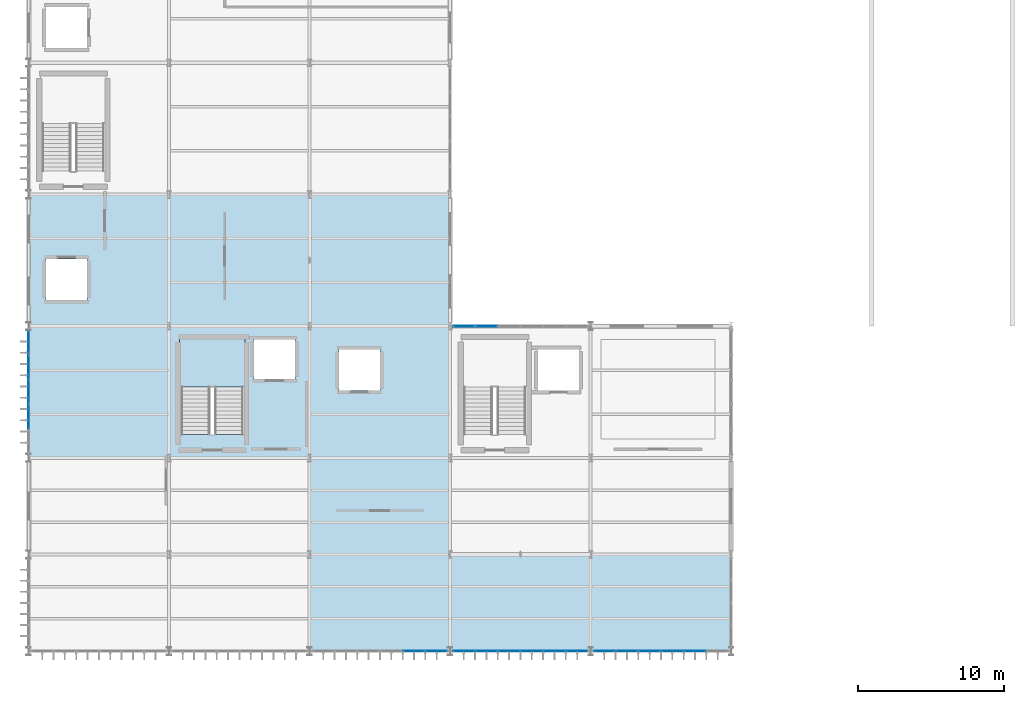
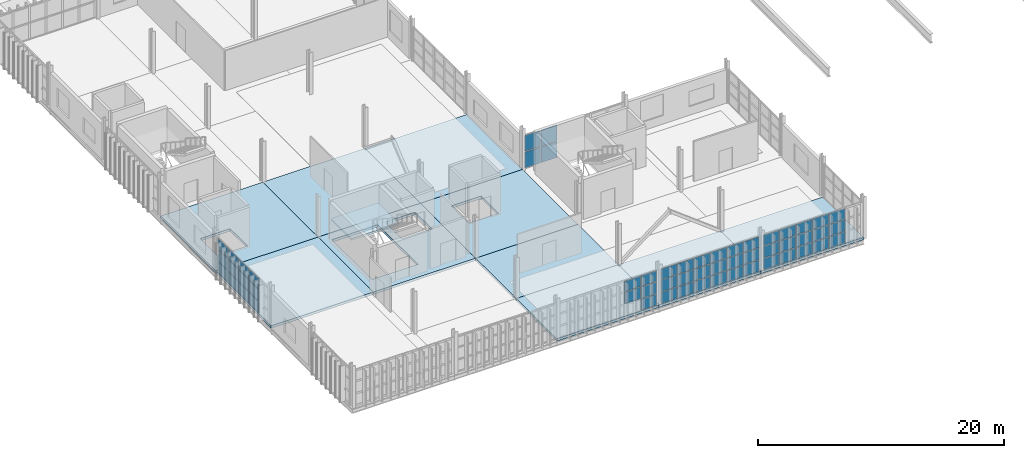
# One storey, part 18 of 52: 54 plates, 11 slabs, 6 elements without a shape of their own.
"""IFC4 building model written with IfcOpenShell, lengths in metres."""

from ifc_helpers import new_model, si_unit, direction, frame, origin, origin_2d, place, context, subcontext, project, spatial, polyline, rectangle, outline, extrude, material, layer, layer_set, type_object, element, aggregate, save


model = new_model("IFC4")

# Units and contexts
model_context = context("Model", 3, precision=1e-05, world=origin(), true_north=direction((0.0, 1.0)))
body_context = subcontext(model_context, "Body", "Model", "MODEL_VIEW")
ifc_project = project(units=[si_unit("LENGTHUNIT", "METRE"), si_unit("AREAUNIT", "SQUARE_METRE"), si_unit("VOLUMEUNIT", "CUBIC_METRE"), si_unit("PLANEANGLEUNIT", "RADIAN"), si_unit("MASSUNIT", "GRAM", prefix="KILO")], contexts=[model_context])

# Site, building, storey
site_placement = place(None, origin())
site = spatial("IfcSite", under=ifc_project, at=site_placement, CompositionType="ELEMENT")
building_placement = place(site_placement, origin())
building = spatial("IfcBuilding", under=site, at=building_placement, Name="Zarnetskaya Central Station", CompositionType="ELEMENT")
storey_placement = place(building_placement, frame((0.0, 0.0, 14.39990234375)))
storey = spatial("IfcBuildingStorey", under=building, at=storey_placement, Name="L03", CompositionType="ELEMENT", Elevation=14.39990234375)

# Curtain wall, plates
ifc_material_1 = material(Name="Low-E insulated glass", Category="glass")
ifc_layer_1 = layer(ifc_material_1, 0.1640625, Name="Low-E insulated glass", Category="glass")
ifc_layer_set_1 = layer_set([ifc_layer_1], Name="Low-E insulated glass")
curtain_wall_type_1 = type_object("IfcCurtainWallType", Name="CW-SYS-07", PredefinedType="USERDEFINED", material=ifc_layer_set_1)
curtain_wall_1_placement = place(storey_placement, origin())
curtain_wall_1 = element("IfcCurtainWall", 1, at=curtain_wall_1_placement, inside=storey, type_object=curtain_wall_type_1, Name="Curtain wall CW-L03-032", ObjectType="CURTAIN WALL", PredefinedType="USERDEFINED")
ifc_layer_2 = layer(ifc_material_1, 0.035888671875, Name="Low-E insulated glass", Category="glass")
ifc_layer_set_2 = layer_set([ifc_layer_2], Name="Low-E insulated glass")
plate_type_1 = type_object("IfcPlateType", Name="CW-PAN-36", PredefinedType="CURTAIN_PANEL", material=ifc_layer_set_2)
plate_1_placement = place(storey_placement, frame((0.0, 16.010009765625, 0.080078125), z_axis=(0.0, 0.0, 1.0), x_axis=(0.0, 1.0, 0.0)))
plate_1 = element("IfcPlate", 2, at=plate_1_placement, type_object=plate_type_1, Name="CW-06 panel 2.1", PredefinedType="CURTAIN_PANEL", context=body_context, shape_type="SweptSolid", body=[
    extrude(rectangle(XDim=1.610107421875, YDim=0.035888671875, at=origin_2d()), origin(), (0.0, 0.0, 1.0), 1.090087890625),
])
plate_2_placement = place(storey_placement, frame((0.0, 16.010009765625, 1.25), z_axis=(0.0, 0.0, 1.0), x_axis=(0.0, 1.0, 0.0)))
plate_2 = element("IfcPlate", 3, at=plate_2_placement, type_object=plate_type_1, Name="CW-06 panel 2.2", PredefinedType="CURTAIN_PANEL", context=body_context, shape_type="SweptSolid", body=[
    extrude(rectangle(XDim=1.610107421875, YDim=0.035888671875, at=origin_2d()), origin(), (0.0, 0.0, 1.0), 1.131103515625),
])
plate_3_placement = place(storey_placement, frame((0.0, 16.010009765625, 2.461181640625), z_axis=(0.0, 0.0, 1.0), x_axis=(0.0, 1.0, 0.0)))
plate_3 = element("IfcPlate", 4, at=plate_3_placement, type_object=plate_type_1, Name="CW-06 panel 2.3", PredefinedType="CURTAIN_PANEL", context=body_context, shape_type="SweptSolid", body=[
    extrude(rectangle(XDim=1.610107421875, YDim=0.035888671875, at=origin_2d()), origin(), (0.0, 0.0, 1.0), 1.01904296875),
])
plate_4_placement = place(storey_placement, frame((0.0, 17.699951171875, 0.080078125), z_axis=(0.0, 0.0, 1.0), x_axis=(0.0, 1.0, 0.0)))
plate_4 = element("IfcPlate", 5, at=plate_4_placement, type_object=plate_type_1, Name="CW-06 panel 3.1", PredefinedType="CURTAIN_PANEL", context=body_context, shape_type="SweptSolid", body=[
    extrude(rectangle(XDim=1.610107421875, YDim=0.035888671875, at=origin_2d()), origin(), (0.0, 0.0, 1.0), 1.090087890625),
])
plate_5_placement = place(storey_placement, frame((0.0, 17.699951171875, 1.25), z_axis=(0.0, 0.0, 1.0), x_axis=(0.0, 1.0, 0.0)))
plate_5 = element("IfcPlate", 6, at=plate_5_placement, type_object=plate_type_1, Name="CW-06 panel 3.2", PredefinedType="CURTAIN_PANEL", context=body_context, shape_type="SweptSolid", body=[
    extrude(rectangle(XDim=1.610107421875, YDim=0.035888671875, at=origin_2d()), origin(), (0.0, 0.0, 1.0), 1.131103515625),
])
plate_6_placement = place(storey_placement, frame((0.0, 17.699951171875, 2.461181640625), z_axis=(0.0, 0.0, 1.0), x_axis=(0.0, 1.0, 0.0)))
plate_6 = element("IfcPlate", 7, at=plate_6_placement, type_object=plate_type_1, Name="CW-06 panel 3.3", PredefinedType="CURTAIN_PANEL", context=body_context, shape_type="SweptSolid", body=[
    extrude(rectangle(XDim=1.610107421875, YDim=0.035888671875, at=origin_2d()), origin(), (0.0, 0.0, 1.0), 1.01904296875),
])
plate_7_placement = place(storey_placement, frame((0.0, 19.389892578125, 0.080078125), z_axis=(0.0, 0.0, 1.0), x_axis=(0.0, 1.0, 0.0)))
plate_7 = element("IfcPlate", 8, at=plate_7_placement, type_object=plate_type_1, Name="CW-06 panel 4.1", PredefinedType="CURTAIN_PANEL", context=body_context, shape_type="SweptSolid", body=[
    extrude(rectangle(XDim=1.610107421875, YDim=0.035888671875, at=origin_2d()), origin(), (0.0, 0.0, 1.0), 1.090087890625),
])
plate_8_placement = place(storey_placement, frame((0.0, 19.389892578125, 1.25), z_axis=(0.0, 0.0, 1.0), x_axis=(0.0, 1.0, 0.0)))
plate_8 = element("IfcPlate", 9, at=plate_8_placement, type_object=plate_type_1, Name="CW-06 panel 4.2", PredefinedType="CURTAIN_PANEL", context=body_context, shape_type="SweptSolid", body=[
    extrude(rectangle(XDim=1.610107421875, YDim=0.035888671875, at=origin_2d()), origin(), (0.0, 0.0, 1.0), 1.131103515625),
])
plate_9_placement = place(storey_placement, frame((0.0, 19.389892578125, 2.461181640625), z_axis=(0.0, 0.0, 1.0), x_axis=(0.0, 1.0, 0.0)))
plate_9 = element("IfcPlate", 10, at=plate_9_placement, type_object=plate_type_1, Name="CW-06 panel 4.3", PredefinedType="CURTAIN_PANEL", context=body_context, shape_type="SweptSolid", body=[
    extrude(rectangle(XDim=1.610107421875, YDim=0.035888671875, at=origin_2d()), origin(), (0.0, 0.0, 1.0), 1.01904296875),
])
plate_10_placement = place(storey_placement, frame((0.0, 21.06005859375, 0.080078125), z_axis=(0.0, 0.0, 1.0), x_axis=(0.0, 1.0, 0.0)))
plate_10 = element("IfcPlate", 11, at=plate_10_placement, type_object=plate_type_1, Name="CW-06 panel 5.1", PredefinedType="CURTAIN_PANEL", context=body_context, shape_type="SweptSolid", body=[
    extrude(rectangle(XDim=1.570068359375, YDim=0.035888671875, at=origin_2d()), origin(), (0.0, 0.0, 1.0), 1.090087890625),
])
plate_11_placement = place(storey_placement, frame((0.0, 21.06005859375, 1.25), z_axis=(0.0, 0.0, 1.0), x_axis=(0.0, 1.0, 0.0)))
plate_11 = element("IfcPlate", 12, at=plate_11_placement, type_object=plate_type_1, Name="CW-06 panel 5.2", PredefinedType="CURTAIN_PANEL", context=body_context, shape_type="SweptSolid", body=[
    extrude(rectangle(XDim=1.570068359375, YDim=0.035888671875, at=origin_2d()), origin(), (0.0, 0.0, 1.0), 1.131103515625),
])
plate_12_placement = place(storey_placement, frame((0.0, 21.06005859375, 2.461181640625), z_axis=(0.0, 0.0, 1.0), x_axis=(0.0, 1.0, 0.0)))
plate_12 = element("IfcPlate", 13, at=plate_12_placement, type_object=plate_type_1, Name="CW-06 panel 5.3", PredefinedType="CURTAIN_PANEL", context=body_context, shape_type="SweptSolid", body=[
    extrude(rectangle(XDim=1.570068359375, YDim=0.035888671875, at=origin_2d()), origin(), (0.0, 0.0, 1.0), 1.01904296875),
])
aggregate(curtain_wall_1, [plate_1, plate_2, plate_3, plate_4, plate_5, plate_6, plate_7, plate_8, plate_9, plate_10, plate_11, plate_12])

ifc_layer_3 = layer(ifc_material_1, 0.176025390625, Name="Low-E insulated glass", Category="glass")
ifc_layer_set_3 = layer_set([ifc_layer_3], Name="Low-E insulated glass")
curtain_wall_type_2 = type_object("IfcCurtainWallType", Name="CW-SYS-05", PredefinedType="USERDEFINED", material=ifc_layer_set_3)
curtain_wall_2_placement = place(storey_placement, origin())
curtain_wall_2 = element("IfcCurtainWall", 14, at=curtain_wall_2_placement, inside=storey, type_object=curtain_wall_type_2, Name="Curtain wall CW-L03-042", ObjectType="CURTAIN WALL", PredefinedType="USERDEFINED")
plate_13_placement = place(storey_placement, frame((45.52490234375, 0.0, 0.080078125), z_axis=(0.0, 0.0, 1.0), x_axis=(-1.0, 0.0, 0.0)))
plate_13 = element("IfcPlate", 15, at=plate_13_placement, type_object=plate_type_1, Name="CW-14 panel 2.1", PredefinedType="CURTAIN_PANEL", context=body_context, shape_type="SweptSolid", body=[
    extrude(rectangle(XDim=1.469970703125, YDim=0.035888671875, at=origin_2d()), origin(), (0.0, 0.0, 1.0), 1.090087890625),
])
plate_14_placement = place(storey_placement, frame((45.52490234375, 0.0, 1.25), z_axis=(0.0, 0.0, 1.0), x_axis=(-1.0, 0.0, 0.0)))
plate_14 = element("IfcPlate", 16, at=plate_14_placement, type_object=plate_type_1, Name="CW-14 panel 2.2", PredefinedType="CURTAIN_PANEL", context=body_context, shape_type="SweptSolid", body=[
    extrude(rectangle(XDim=1.469970703125, YDim=0.035888671875, at=origin_2d()), origin(), (0.0, 0.0, 1.0), 1.131103515625),
])
plate_15_placement = place(storey_placement, frame((45.52490234375, 0.0, 2.461181640625), z_axis=(0.0, 0.0, 1.0), x_axis=(-1.0, 0.0, 0.0)))
plate_15 = element("IfcPlate", 17, at=plate_15_placement, type_object=plate_type_1, Name="CW-14 panel 2.3", PredefinedType="CURTAIN_PANEL", context=body_context, shape_type="SweptSolid", body=[
    extrude(rectangle(XDim=1.469970703125, YDim=0.035888671875, at=origin_2d()), origin(), (0.0, 0.0, 1.0), 1.01904296875),
])
plate_16_placement = place(storey_placement, frame((43.97509765625, 0.0, 0.080078125), z_axis=(0.0, 0.0, 1.0), x_axis=(-1.0, 0.0, 0.0)))
plate_16 = element("IfcPlate", 18, at=plate_16_placement, type_object=plate_type_1, Name="CW-14 panel 3.1", PredefinedType="CURTAIN_PANEL", context=body_context, shape_type="SweptSolid", body=[
    extrude(rectangle(XDim=1.469970703125, YDim=0.035888671875, at=origin_2d()), origin(), (0.0, 0.0, 1.0), 1.090087890625),
])
plate_17_placement = place(storey_placement, frame((43.97509765625, 0.0, 1.25), z_axis=(0.0, 0.0, 1.0), x_axis=(-1.0, 0.0, 0.0)))
plate_17 = element("IfcPlate", 19, at=plate_17_placement, type_object=plate_type_1, Name="CW-14 panel 3.2", PredefinedType="CURTAIN_PANEL", context=body_context, shape_type="SweptSolid", body=[
    extrude(rectangle(XDim=1.469970703125, YDim=0.035888671875, at=origin_2d()), origin(), (0.0, 0.0, 1.0), 1.131103515625),
])
plate_18_placement = place(storey_placement, frame((43.97509765625, 0.0, 2.461181640625), z_axis=(0.0, 0.0, 1.0), x_axis=(-1.0, 0.0, 0.0)))
plate_18 = element("IfcPlate", 20, at=plate_18_placement, type_object=plate_type_1, Name="CW-14 panel 3.3", PredefinedType="CURTAIN_PANEL", context=body_context, shape_type="SweptSolid", body=[
    extrude(rectangle(XDim=1.469970703125, YDim=0.035888671875, at=origin_2d()), origin(), (0.0, 0.0, 1.0), 1.01904296875),
])
plate_19_placement = place(storey_placement, frame((42.425048828125, 0.0, 0.080078125), z_axis=(0.0, 0.0, 1.0), x_axis=(-1.0, 0.0, 0.0)))
plate_19 = element("IfcPlate", 21, at=plate_19_placement, type_object=plate_type_1, Name="CW-14 panel 4.1", PredefinedType="CURTAIN_PANEL", context=body_context, shape_type="SweptSolid", body=[
    extrude(rectangle(XDim=1.469970703125, YDim=0.035888671875, at=origin_2d()), origin(), (0.0, 0.0, 1.0), 1.090087890625),
])
plate_20_placement = place(storey_placement, frame((42.425048828125, 0.0, 1.25), z_axis=(0.0, 0.0, 1.0), x_axis=(-1.0, 0.0, 0.0)))
plate_20 = element("IfcPlate", 22, at=plate_20_placement, type_object=plate_type_1, Name="CW-14 panel 4.2", PredefinedType="CURTAIN_PANEL", context=body_context, shape_type="SweptSolid", body=[
    extrude(rectangle(XDim=1.469970703125, YDim=0.035888671875, at=origin_2d()), origin(), (0.0, 0.0, 1.0), 1.131103515625),
])
plate_21_placement = place(storey_placement, frame((42.425048828125, 0.0, 2.461181640625), z_axis=(0.0, 0.0, 1.0), x_axis=(-1.0, 0.0, 0.0)))
plate_21 = element("IfcPlate", 23, at=plate_21_placement, type_object=plate_type_1, Name="CW-14 panel 4.3", PredefinedType="CURTAIN_PANEL", context=body_context, shape_type="SweptSolid", body=[
    extrude(rectangle(XDim=1.469970703125, YDim=0.035888671875, at=origin_2d()), origin(), (0.0, 0.0, 1.0), 1.01904296875),
])
plate_22_placement = place(storey_placement, frame((40.875, 0.0, 0.080078125), z_axis=(0.0, 0.0, 1.0), x_axis=(-1.0, 0.0, 0.0)))
plate_22 = element("IfcPlate", 24, at=plate_22_placement, type_object=plate_type_1, Name="CW-14 panel 5.1", PredefinedType="CURTAIN_PANEL", context=body_context, shape_type="SweptSolid", body=[
    extrude(rectangle(XDim=1.469970703125, YDim=0.035888671875, at=origin_2d()), origin(), (0.0, 0.0, 1.0), 1.090087890625),
])
plate_23_placement = place(storey_placement, frame((40.875, 0.0, 1.25), z_axis=(0.0, 0.0, 1.0), x_axis=(-1.0, 0.0, 0.0)))
plate_23 = element("IfcPlate", 25, at=plate_23_placement, type_object=plate_type_1, Name="CW-14 panel 5.2", PredefinedType="CURTAIN_PANEL", context=body_context, shape_type="SweptSolid", body=[
    extrude(rectangle(XDim=1.469970703125, YDim=0.035888671875, at=origin_2d()), origin(), (0.0, 0.0, 1.0), 1.131103515625),
])
plate_24_placement = place(storey_placement, frame((40.875, 0.0, 2.461181640625), z_axis=(0.0, 0.0, 1.0), x_axis=(-1.0, 0.0, 0.0)))
plate_24 = element("IfcPlate", 26, at=plate_24_placement, type_object=plate_type_1, Name="CW-14 panel 5.3", PredefinedType="CURTAIN_PANEL", context=body_context, shape_type="SweptSolid", body=[
    extrude(rectangle(XDim=1.469970703125, YDim=0.035888671875, at=origin_2d()), origin(), (0.0, 0.0, 1.0), 1.01904296875),
])
plate_25_placement = place(storey_placement, frame((39.344970703125, 0.0, 0.080078125), z_axis=(0.0, 0.0, 1.0), x_axis=(-1.0, 0.0, 0.0)))
plate_25 = element("IfcPlate", 27, at=plate_25_placement, type_object=plate_type_1, Name="CW-14 panel 6.1", PredefinedType="CURTAIN_PANEL", context=body_context, shape_type="SweptSolid", body=[
    extrude(rectangle(XDim=1.429931640625, YDim=0.035888671875, at=origin_2d()), origin(), (0.0, 0.0, 1.0), 1.090087890625),
])
plate_26_placement = place(storey_placement, frame((39.344970703125, 0.0, 1.25), z_axis=(0.0, 0.0, 1.0), x_axis=(-1.0, 0.0, 0.0)))
plate_26 = element("IfcPlate", 28, at=plate_26_placement, type_object=plate_type_1, Name="CW-14 panel 6.2", PredefinedType="CURTAIN_PANEL", context=body_context, shape_type="SweptSolid", body=[
    extrude(rectangle(XDim=1.429931640625, YDim=0.035888671875, at=origin_2d()), origin(), (0.0, 0.0, 1.0), 1.131103515625),
])
plate_27_placement = place(storey_placement, frame((39.344970703125, 0.0, 2.461181640625), z_axis=(0.0, 0.0, 1.0), x_axis=(-1.0, 0.0, 0.0)))
plate_27 = element("IfcPlate", 29, at=plate_27_placement, type_object=plate_type_1, Name="CW-14 panel 6.3", PredefinedType="CURTAIN_PANEL", context=body_context, shape_type="SweptSolid", body=[
    extrude(rectangle(XDim=1.429931640625, YDim=0.035888671875, at=origin_2d()), origin(), (0.0, 0.0, 1.0), 1.01904296875),
])
aggregate(curtain_wall_2, [plate_13, plate_14, plate_15, plate_16, plate_17, plate_18, plate_19, plate_20, plate_21, plate_22, plate_23, plate_24, plate_25, plate_26, plate_27])

ifc_layer_4 = layer(ifc_material_1, 0.159912109375, Name="Low-E insulated glass", Category="glass")
ifc_layer_set_4 = layer_set([ifc_layer_4], Name="Low-E insulated glass")
curtain_wall_type_3 = type_object("IfcCurtainWallType", Name="CW-SYS-06", PredefinedType="USERDEFINED", material=ifc_layer_set_4)
curtain_wall_3_placement = place(storey_placement, origin())
curtain_wall_3 = element("IfcCurtainWall", 30, at=curtain_wall_3_placement, inside=storey, type_object=curtain_wall_type_3, Name="Curtain wall CW-L03-043", ObjectType="CURTAIN WALL", PredefinedType="USERDEFINED")
ifc_layer_5 = layer(ifc_material_1, 0.0400390625, Name="Low-E insulated glass", Category="glass")
ifc_layer_set_5 = layer_set([ifc_layer_5], Name="Low-E insulated glass")
plate_type_2 = type_object("IfcPlateType", Name="CW-PAN-40", PredefinedType="CURTAIN_PANEL", material=ifc_layer_set_5)
plate_28_placement = place(storey_placement, frame((37.45751953125, 0.0, 0.070068359375), z_axis=(0.0, 0.0, 1.0), x_axis=(-1.0, 0.0, 0.0)))
plate_28 = element("IfcPlate", 31, at=plate_28_placement, type_object=plate_type_2, Name="CW-02 panel 1.1", PredefinedType="CURTAIN_PANEL", context=body_context, shape_type="SweptSolid", body=[
    extrude(rectangle(XDim=1.445068359375, YDim=0.0400390625, at=origin_2d()), origin(), (0.0, 0.0, 1.0), 1.10498046875),
])
plate_29_placement = place(storey_placement, frame((37.45751953125, 0.0, 1.2451171875), z_axis=(0.0, 0.0, 1.0), x_axis=(-1.0, 0.0, 0.0)))
plate_29 = element("IfcPlate", 32, at=plate_29_placement, type_object=plate_type_2, Name="CW-02 panel 1.2", PredefinedType="CURTAIN_PANEL", context=body_context, shape_type="SweptSolid", body=[
    extrude(rectangle(XDim=1.445068359375, YDim=0.0400390625, at=origin_2d()), origin(), (0.0, 0.0, 1.0), 1.14111328125),
])
plate_30_placement = place(storey_placement, frame((37.45751953125, 0.0, 2.4560546875), z_axis=(0.0, 0.0, 1.0), x_axis=(-1.0, 0.0, 0.0)))
plate_30 = element("IfcPlate", 33, at=plate_30_placement, type_object=plate_type_2, Name="CW-02 panel 1.3", PredefinedType="CURTAIN_PANEL", context=body_context, shape_type="SweptSolid", body=[
    extrude(rectangle(XDim=1.445068359375, YDim=0.0400390625, at=origin_2d()), origin(), (0.0, 0.0, 1.0), 1.033935546875),
])
plate_31_placement = place(storey_placement, frame((35.925048828125, 0.0, 0.070068359375), z_axis=(0.0, 0.0, 1.0), x_axis=(-1.0, 0.0, 0.0)))
plate_31 = element("IfcPlate", 34, at=plate_31_placement, type_object=plate_type_2, Name="CW-02 panel 2.1", PredefinedType="CURTAIN_PANEL", context=body_context, shape_type="SweptSolid", body=[
    extrude(rectangle(XDim=1.47998046875, YDim=0.0400390625, at=origin_2d()), origin(), (0.0, 0.0, 1.0), 1.10498046875),
])
plate_32_placement = place(storey_placement, frame((35.925048828125, 0.0, 1.2451171875), z_axis=(0.0, 0.0, 1.0), x_axis=(-1.0, 0.0, 0.0)))
plate_32 = element("IfcPlate", 35, at=plate_32_placement, type_object=plate_type_2, Name="CW-02 panel 2.2", PredefinedType="CURTAIN_PANEL", context=body_context, shape_type="SweptSolid", body=[
    extrude(rectangle(XDim=1.47998046875, YDim=0.0400390625, at=origin_2d()), origin(), (0.0, 0.0, 1.0), 1.14111328125),
])
plate_33_placement = place(storey_placement, frame((35.925048828125, 0.0, 2.4560546875), z_axis=(0.0, 0.0, 1.0), x_axis=(-1.0, 0.0, 0.0)))
plate_33 = element("IfcPlate", 36, at=plate_33_placement, type_object=plate_type_2, Name="CW-02 panel 2.3", PredefinedType="CURTAIN_PANEL", context=body_context, shape_type="SweptSolid", body=[
    extrude(rectangle(XDim=1.47998046875, YDim=0.0400390625, at=origin_2d()), origin(), (0.0, 0.0, 1.0), 1.033935546875),
])
plate_34_placement = place(storey_placement, frame((34.375, 0.0, 0.070068359375), z_axis=(0.0, 0.0, 1.0), x_axis=(-1.0, 0.0, 0.0)))
plate_34 = element("IfcPlate", 37, at=plate_34_placement, type_object=plate_type_2, Name="CW-02 panel 3.1", PredefinedType="CURTAIN_PANEL", context=body_context, shape_type="SweptSolid", body=[
    extrude(rectangle(XDim=1.47998046875, YDim=0.0400390625, at=origin_2d()), origin(), (0.0, 0.0, 1.0), 1.10498046875),
])
plate_35_placement = place(storey_placement, frame((34.375, 0.0, 1.2451171875), z_axis=(0.0, 0.0, 1.0), x_axis=(-1.0, 0.0, 0.0)))
plate_35 = element("IfcPlate", 38, at=plate_35_placement, type_object=plate_type_2, Name="CW-02 panel 3.2", PredefinedType="CURTAIN_PANEL", context=body_context, shape_type="SweptSolid", body=[
    extrude(rectangle(XDim=1.47998046875, YDim=0.0400390625, at=origin_2d()), origin(), (0.0, 0.0, 1.0), 1.14111328125),
])
plate_36_placement = place(storey_placement, frame((34.375, 0.0, 2.4560546875), z_axis=(0.0, 0.0, 1.0), x_axis=(-1.0, 0.0, 0.0)))
plate_36 = element("IfcPlate", 39, at=plate_36_placement, type_object=plate_type_2, Name="CW-02 panel 3.3", PredefinedType="CURTAIN_PANEL", context=body_context, shape_type="SweptSolid", body=[
    extrude(rectangle(XDim=1.47998046875, YDim=0.0400390625, at=origin_2d()), origin(), (0.0, 0.0, 1.0), 1.033935546875),
])
plate_37_placement = place(storey_placement, frame((32.824951171875, 0.0, 0.070068359375), z_axis=(0.0, 0.0, 1.0), x_axis=(-1.0, 0.0, 0.0)))
plate_37 = element("IfcPlate", 40, at=plate_37_placement, type_object=plate_type_2, Name="CW-02 panel 4.1", PredefinedType="CURTAIN_PANEL", context=body_context, shape_type="SweptSolid", body=[
    extrude(rectangle(XDim=1.47998046875, YDim=0.0400390625, at=origin_2d()), origin(), (0.0, 0.0, 1.0), 1.10498046875),
])
plate_38_placement = place(storey_placement, frame((32.824951171875, 0.0, 1.2451171875), z_axis=(0.0, 0.0, 1.0), x_axis=(-1.0, 0.0, 0.0)))
plate_38 = element("IfcPlate", 41, at=plate_38_placement, type_object=plate_type_2, Name="CW-02 panel 4.2", PredefinedType="CURTAIN_PANEL", context=body_context, shape_type="SweptSolid", body=[
    extrude(rectangle(XDim=1.47998046875, YDim=0.0400390625, at=origin_2d()), origin(), (0.0, 0.0, 1.0), 1.14111328125),
])
plate_39_placement = place(storey_placement, frame((32.824951171875, 0.0, 2.4560546875), z_axis=(0.0, 0.0, 1.0), x_axis=(-1.0, 0.0, 0.0)))
plate_39 = element("IfcPlate", 42, at=plate_39_placement, type_object=plate_type_2, Name="CW-02 panel 4.3", PredefinedType="CURTAIN_PANEL", context=body_context, shape_type="SweptSolid", body=[
    extrude(rectangle(XDim=1.47998046875, YDim=0.0400390625, at=origin_2d()), origin(), (0.0, 0.0, 1.0), 1.033935546875),
])
plate_40_placement = place(storey_placement, frame((31.27490234375, 0.0, 0.070068359375), z_axis=(0.0, 0.0, 1.0), x_axis=(-1.0, 0.0, 0.0)))
plate_40 = element("IfcPlate", 43, at=plate_40_placement, type_object=plate_type_2, Name="CW-02 panel 5.1", PredefinedType="CURTAIN_PANEL", context=body_context, shape_type="SweptSolid", body=[
    extrude(rectangle(XDim=1.47998046875, YDim=0.0400390625, at=origin_2d()), origin(), (0.0, 0.0, 1.0), 1.10498046875),
])
plate_41_placement = place(storey_placement, frame((31.27490234375, 0.0, 1.2451171875), z_axis=(0.0, 0.0, 1.0), x_axis=(-1.0, 0.0, 0.0)))
plate_41 = element("IfcPlate", 44, at=plate_41_placement, type_object=plate_type_2, Name="CW-02 panel 5.2", PredefinedType="CURTAIN_PANEL", context=body_context, shape_type="SweptSolid", body=[
    extrude(rectangle(XDim=1.47998046875, YDim=0.0400390625, at=origin_2d()), origin(), (0.0, 0.0, 1.0), 1.14111328125),
])
plate_42_placement = place(storey_placement, frame((31.27490234375, 0.0, 2.4560546875), z_axis=(0.0, 0.0, 1.0), x_axis=(-1.0, 0.0, 0.0)))
plate_42 = element("IfcPlate", 45, at=plate_42_placement, type_object=plate_type_2, Name="CW-02 panel 5.3", PredefinedType="CURTAIN_PANEL", context=body_context, shape_type="SweptSolid", body=[
    extrude(rectangle(XDim=1.47998046875, YDim=0.0400390625, at=origin_2d()), origin(), (0.0, 0.0, 1.0), 1.033935546875),
])
plate_43_placement = place(storey_placement, frame((29.742431640625, 0.0, 0.070068359375), z_axis=(0.0, 0.0, 1.0), x_axis=(-1.0, 0.0, 0.0)))
plate_43 = element("IfcPlate", 46, at=plate_43_placement, type_object=plate_type_2, Name="CW-02 panel 6.1", PredefinedType="CURTAIN_PANEL", context=body_context, shape_type="SweptSolid", body=[
    extrude(rectangle(XDim=1.445068359375, YDim=0.0400390625, at=origin_2d()), origin(), (0.0, 0.0, 1.0), 1.10498046875),
])
plate_44_placement = place(storey_placement, frame((29.742431640625, 0.0, 1.2451171875), z_axis=(0.0, 0.0, 1.0), x_axis=(-1.0, 0.0, 0.0)))
plate_44 = element("IfcPlate", 47, at=plate_44_placement, type_object=plate_type_2, Name="CW-02 panel 6.2", PredefinedType="CURTAIN_PANEL", context=body_context, shape_type="SweptSolid", body=[
    extrude(rectangle(XDim=1.445068359375, YDim=0.0400390625, at=origin_2d()), origin(), (0.0, 0.0, 1.0), 1.14111328125),
])
plate_45_placement = place(storey_placement, frame((29.742431640625, 0.0, 2.4560546875), z_axis=(0.0, 0.0, 1.0), x_axis=(-1.0, 0.0, 0.0)))
plate_45 = element("IfcPlate", 48, at=plate_45_placement, type_object=plate_type_2, Name="CW-02 panel 6.3", PredefinedType="CURTAIN_PANEL", context=body_context, shape_type="SweptSolid", body=[
    extrude(rectangle(XDim=1.445068359375, YDim=0.0400390625, at=origin_2d()), origin(), (0.0, 0.0, 1.0), 1.033935546875),
])
aggregate(curtain_wall_3, [plate_28, plate_29, plate_30, plate_31, plate_32, plate_33, plate_34, plate_35, plate_36, plate_37, plate_38, plate_39, plate_40, plate_41, plate_42, plate_43, plate_44, plate_45])

curtain_wall_4_placement = place(storey_placement, origin())
curtain_wall_4 = element("IfcCurtainWall", 49, at=curtain_wall_4_placement, inside=storey, type_object=curtain_wall_type_2, Name="Curtain wall CW-L03-039", ObjectType="CURTAIN WALL", PredefinedType="USERDEFINED")
ifc_layer_6 = layer(ifc_material_1, 0.0439453125, Name="Low-E insulated glass", Category="glass")
ifc_layer_set_6 = layer_set([ifc_layer_6], Name="Low-E insulated glass")
plate_type_3 = type_object("IfcPlateType", Name="CW-PAN-44", PredefinedType="CURTAIN_PANEL", material=ifc_layer_set_6)
plate_46_placement = place(storey_placement, frame((29.742431640625, 22.199951171875, 0.0703125), z_axis=(0.0, 0.0, 1.0), x_axis=(1.0, 0.0, 0.0)))
plate_46 = element("IfcPlate", 50, at=plate_46_placement, type_object=plate_type_3, Name="CW-14 panel 1.1", PredefinedType="CURTAIN_PANEL", context=body_context, shape_type="SweptSolid", body=[
    extrude(rectangle(XDim=1.445068359375, YDim=0.0439453125, at=origin_2d()), origin(), (0.0, 0.0, 1.0), 1.574951171875),
])
plate_47_placement = place(storey_placement, frame((29.742431640625, 22.199951171875, 1.71533203125), z_axis=(0.0, 0.0, 1.0), x_axis=(1.0, 0.0, 0.0)))
plate_47 = element("IfcPlate", 51, at=plate_47_placement, type_object=plate_type_3, Name="CW-14 panel 1.2", PredefinedType="CURTAIN_PANEL", context=body_context, shape_type="SweptSolid", body=[
    extrude(rectangle(XDim=1.445068359375, YDim=0.0439453125, at=origin_2d()), origin(), (0.0, 0.0, 1.0), 1.574951171875),
])
plate_48_placement = place(storey_placement, frame((31.27490234375, 22.199951171875, 0.0703125), z_axis=(0.0, 0.0, 1.0), x_axis=(1.0, 0.0, 0.0)))
plate_48 = element("IfcPlate", 52, at=plate_48_placement, type_object=plate_type_3, Name="CW-14 panel 2.1", PredefinedType="CURTAIN_PANEL", context=body_context, shape_type="SweptSolid", body=[
    extrude(rectangle(XDim=1.47998046875, YDim=0.0439453125, at=origin_2d()), origin(), (0.0, 0.0, 1.0), 1.574951171875),
])
plate_49_placement = place(storey_placement, frame((31.27490234375, 22.199951171875, 1.71533203125), z_axis=(0.0, 0.0, 1.0), x_axis=(1.0, 0.0, 0.0)))
plate_49 = element("IfcPlate", 53, at=plate_49_placement, type_object=plate_type_3, Name="CW-14 panel 2.2", PredefinedType="CURTAIN_PANEL", context=body_context, shape_type="SweptSolid", body=[
    extrude(rectangle(XDim=1.47998046875, YDim=0.0439453125, at=origin_2d()), origin(), (0.0, 0.0, 1.0), 1.574951171875),
])
aggregate(curtain_wall_4, [plate_46, plate_47, plate_48, plate_49])

curtain_wall_5_placement = place(storey_placement, origin())
curtain_wall_5 = element("IfcCurtainWall", 54, at=curtain_wall_5_placement, inside=storey, type_object=curtain_wall_type_1, Name="Curtain wall CW-L03-044", ObjectType="CURTAIN WALL", PredefinedType="USERDEFINED")
plate_50_placement = place(storey_placement, frame((27.85498046875, 0.0, 0.080078125), z_axis=(0.0, 0.0, 1.0), x_axis=(-1.0, 0.0, 0.0)))
plate_50 = element("IfcPlate", 55, at=plate_50_placement, type_object=plate_type_3, Name="CW-06 panel 1.1", PredefinedType="CURTAIN_PANEL", context=body_context, shape_type="SweptSolid", body=[
    extrude(rectangle(XDim=1.429931640625, YDim=0.0439453125, at=origin_2d()), origin(), (0.0, 0.0, 1.0), 1.090087890625),
])
plate_51_placement = place(storey_placement, frame((27.85498046875, 0.0, 1.25), z_axis=(0.0, 0.0, 1.0), x_axis=(-1.0, 0.0, 0.0)))
plate_51 = element("IfcPlate", 56, at=plate_51_placement, type_object=plate_type_3, Name="CW-06 panel 1.2", PredefinedType="CURTAIN_PANEL", context=body_context, shape_type="SweptSolid", body=[
    extrude(rectangle(XDim=1.429931640625, YDim=0.0439453125, at=origin_2d()), origin(), (0.0, 0.0, 1.0), 1.131103515625),
])
plate_52_placement = place(storey_placement, frame((27.85498046875, 0.0, 2.461181640625), z_axis=(0.0, 0.0, 1.0), x_axis=(-1.0, 0.0, 0.0)))
plate_52 = element("IfcPlate", 57, at=plate_52_placement, type_object=plate_type_3, Name="CW-06 panel 1.3", PredefinedType="CURTAIN_PANEL", context=body_context, shape_type="SweptSolid", body=[
    extrude(rectangle(XDim=1.429931640625, YDim=0.0439453125, at=origin_2d()), origin(), (0.0, 0.0, 1.0), 1.01904296875),
])
plate_53_placement = place(storey_placement, frame((26.324951171875, 0.0, 1.25), z_axis=(0.0, 0.0, 1.0), x_axis=(-1.0, 0.0, 0.0)))
plate_53 = element("IfcPlate", 58, at=plate_53_placement, type_object=plate_type_3, Name="CW-06 panel 2.2", PredefinedType="CURTAIN_PANEL", context=body_context, shape_type="SweptSolid", body=[
    extrude(rectangle(XDim=1.469970703125, YDim=0.0439453125, at=origin_2d()), origin(), (0.0, 0.0, 1.0), 1.131103515625),
])
plate_54_placement = place(storey_placement, frame((26.324951171875, 0.0, 2.461181640625), z_axis=(0.0, 0.0, 1.0), x_axis=(-1.0, 0.0, 0.0)))
plate_54 = element("IfcPlate", 59, at=plate_54_placement, type_object=plate_type_3, Name="CW-06 panel 2.3", PredefinedType="CURTAIN_PANEL", context=body_context, shape_type="SweptSolid", body=[
    extrude(rectangle(XDim=1.469970703125, YDim=0.0439453125, at=origin_2d()), origin(), (0.0, 0.0, 1.0), 1.01904296875),
])
aggregate(curtain_wall_5, [plate_50, plate_51, plate_52, plate_53, plate_54])

# Slabs
ifc_material_2 = material(Name="Concrete C30/37", Category="concrete")
ifc_layer_7 = layer(ifc_material_2, 0.25, Name="Concrete C30/37", Category="concrete")
ifc_layer_set_7 = layer_set([ifc_layer_7], Name="Concrete C30/37")
slab_type_1 = type_object("IfcSlabType", Name="SLAB-L03-250", PredefinedType="FLOOR", material=ifc_layer_set_7)
slab_1_placement = place(storey_placement, frame((0.0, 0.0, -0.25)))
element("IfcSlab", 60, at=slab_1_placement, inside=storey, type_object=slab_type_1, Name="L03 slab A-B/3-4", PredefinedType="FLOOR", context=body_context, shape_type="SweptSolid", body=[
    extrude(outline(polyline([(0.0, 13.199951171875), (9.60009765625, 13.199951171875), (9.60009765625, 22.199951171875), (0.0, 22.199951171875), (0.0, 13.199951171875)])), origin(), (0.0, 0.0, 1.0), 0.25),
])
slab_2_placement = place(storey_placement, frame((0.0, 0.0, -0.25)))
element("IfcSlab", 61, at=slab_2_placement, inside=storey, type_object=slab_type_1, Name="L03 slab A-B/4-5", PredefinedType="FLOOR", context=body_context, shape_type="SweptSolid", body=[
    extrude(outline(polyline([(0.0, 22.199951171875), (9.60009765625, 22.199951171875), (9.60009765625, 31.199951171875), (0.0, 31.199951171875), (0.0, 22.199951171875)]), holes=[polyline([(1.199951171875, 24.0), (4.0, 24.0), (4.0, 26.800048828125), (1.199951171875, 26.800048828125), (1.199951171875, 24.0)])]), origin(), (0.0, 0.0, 1.0), 0.25),
])
slab_3_placement = place(storey_placement, frame((0.0, 0.0, -0.25)))
element("IfcSlab", 62, at=slab_3_placement, inside=storey, type_object=slab_type_1, Name="L03 slab B-C/3-4", PredefinedType="FLOOR", context=body_context, shape_type="SweptSolid", body=[
    extrude(outline(polyline([(9.60009765625, 13.199951171875), (19.199951171875, 13.199951171875), (19.199951171875, 22.199951171875), (9.60009765625, 22.199951171875), (9.60009765625, 13.199951171875)]), holes=[polyline([(10.39990234375, 14.804931640625), (14.699951171875, 14.804931640625), (14.699951171875, 21.300048828125), (10.39990234375, 21.300048828125), (10.39990234375, 14.804931640625)]), polyline([(15.39990234375, 18.60009765625), (18.199951171875, 18.60009765625), (18.199951171875, 21.300048828125), (15.39990234375, 21.300048828125), (15.39990234375, 18.60009765625)])]), origin(), (0.0, 0.0, 1.0), 0.25),
])
slab_4_placement = place(storey_placement, frame((0.0, 0.0, -0.25)))
element("IfcSlab", 63, at=slab_4_placement, inside=storey, type_object=slab_type_1, Name="L03 slab B-C/4-5", PredefinedType="FLOOR", context=body_context, shape_type="SweptSolid", body=[
    extrude(outline(polyline([(9.60009765625, 22.199951171875), (19.199951171875, 22.199951171875), (19.199951171875, 31.199951171875), (9.60009765625, 31.199951171875), (9.60009765625, 22.199951171875)])), origin(), (0.0, 0.0, 1.0), 0.25),
])
slab_5_placement = place(storey_placement, frame((0.0, 0.0, -0.25)))
element("IfcSlab", 64, at=slab_5_placement, inside=storey, type_object=slab_type_1, Name="L03 slab C-D/1-2", PredefinedType="FLOOR", context=body_context, shape_type="SweptSolid", body=[
    extrude(outline(polyline([(19.199951171875, 0.0), (28.800048828125, 0.0), (28.800048828125, 6.60009765625), (19.199951171875, 6.60009765625), (19.199951171875, 0.0)])), origin(), (0.0, 0.0, 1.0), 0.25),
])
slab_6_placement = place(storey_placement, frame((0.0, 0.0, -0.25)))
element("IfcSlab", 65, at=slab_6_placement, inside=storey, type_object=slab_type_1, Name="L03 slab C-D/2-3", PredefinedType="FLOOR", context=body_context, shape_type="SweptSolid", body=[
    extrude(outline(polyline([(19.199951171875, 6.60009765625), (28.800048828125, 6.60009765625), (28.800048828125, 13.199951171875), (19.199951171875, 13.199951171875), (19.199951171875, 6.60009765625)])), origin(), (0.0, 0.0, 1.0), 0.25),
])
slab_7_placement = place(storey_placement, frame((0.0, 0.0, -0.25)))
element("IfcSlab", 66, at=slab_7_placement, inside=storey, type_object=slab_type_1, Name="L03 slab C-D/3-4", PredefinedType="FLOOR", context=body_context, shape_type="SweptSolid", body=[
    extrude(outline(polyline([(19.199951171875, 13.199951171875), (28.800048828125, 13.199951171875), (28.800048828125, 22.199951171875), (19.199951171875, 22.199951171875), (19.199951171875, 13.199951171875)]), holes=[polyline([(21.199951171875, 17.800048828125), (24.0, 17.800048828125), (24.0, 20.60009765625), (21.199951171875, 20.60009765625), (21.199951171875, 17.800048828125)])]), origin(), (0.0, 0.0, 1.0), 0.25),
])
slab_8_placement = place(storey_placement, frame((0.0, 0.0, -0.25)))
element("IfcSlab", 67, at=slab_8_placement, inside=storey, type_object=slab_type_1, Name="L03 slab C-D/4-5", PredefinedType="FLOOR", context=body_context, shape_type="SweptSolid", body=[
    extrude(outline(polyline([(19.199951171875, 22.199951171875), (28.800048828125, 22.199951171875), (28.800048828125, 31.199951171875), (19.199951171875, 31.199951171875), (19.199951171875, 22.199951171875)])), origin(), (0.0, 0.0, 1.0), 0.25),
])
slab_9_placement = place(storey_placement, frame((0.0, 0.0, -0.25)))
element("IfcSlab", 68, at=slab_9_placement, inside=storey, type_object=slab_type_1, Name="L03 slab D-E/1-2", PredefinedType="FLOOR", context=body_context, shape_type="SweptSolid", body=[
    extrude(outline(polyline([(28.800048828125, 0.0), (38.39990234375, 0.0), (38.39990234375, 6.60009765625), (28.800048828125, 6.60009765625), (28.800048828125, 0.0)])), origin(), (0.0, 0.0, 1.0), 0.25),
])
slab_10_placement = place(storey_placement, frame((0.0, 0.0, -0.25)))
element("IfcSlab", 69, at=slab_10_placement, inside=storey, type_object=slab_type_1, Name="L03 slab E-F/1-2", PredefinedType="FLOOR", context=body_context, shape_type="SweptSolid", body=[
    extrude(outline(polyline([(38.39990234375, 0.0), (48.0, 0.0), (48.0, 6.60009765625), (38.39990234375, 6.60009765625), (38.39990234375, 0.0)])), origin(), (0.0, 0.0, 1.0), 0.25),
])

# Stair, slab
stair_type = type_object("IfcStairType", Name="STAIR-ASSY-01", PredefinedType="HALF_TURN_STAIR", material=ifc_material_2)
stair_placement = place(storey_placement, origin())
stair = element("IfcStair", 70, at=stair_placement, inside=storey, type_object=stair_type, Name="Exit Stair ST-C1 L03", PredefinedType="HALF_TURN_STAIR")
ifc_layer_8 = layer(ifc_material_2, 0.18505859375, Name="Concrete C30/37", Category="concrete")
ifc_layer_set_8 = layer_set([ifc_layer_8], Name="Concrete C30/37")
slab_type_2 = type_object("IfcSlabType", Name="SLAB-STAIR-LND", PredefinedType="LANDING", material=ifc_layer_set_8)
slab_11_placement = place(storey_placement, frame((0.0, 0.0, 1.9150390625)))
slab_11 = element("IfcSlab", 71, at=slab_11_placement, type_object=slab_type_2, Name="ST-03 landing 1", PredefinedType="LANDING", context=body_context, shape_type="SweptSolid", body=[
    extrude(outline(polyline([(10.320068359375, 18.034912109375), (14.780029296875, 18.034912109375), (14.780029296875, 21.3798828125), (10.320068359375, 21.3798828125), (10.320068359375, 18.034912109375)])), origin(), (0.0, 0.0, 1.0), 0.18505859375),
])
aggregate(stair, [slab_11])

save(model, "model.ifc")
